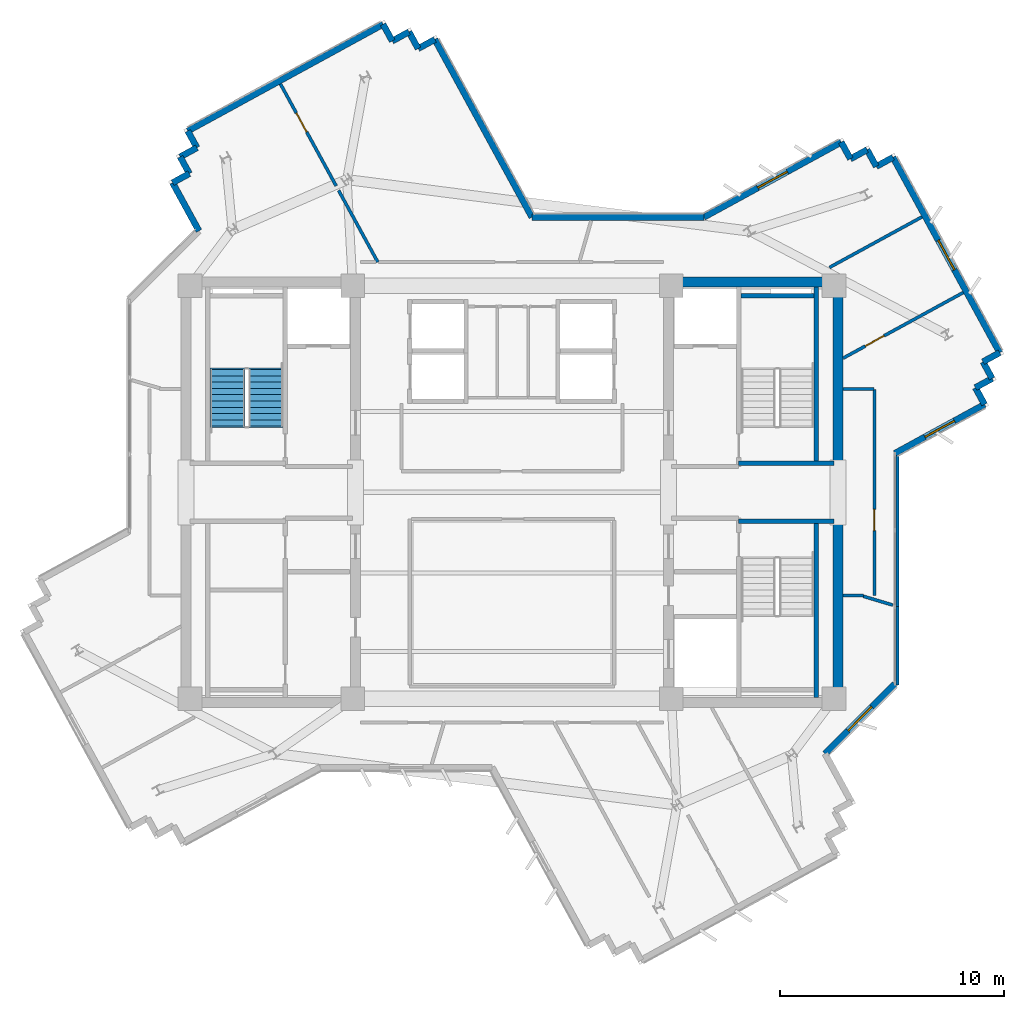
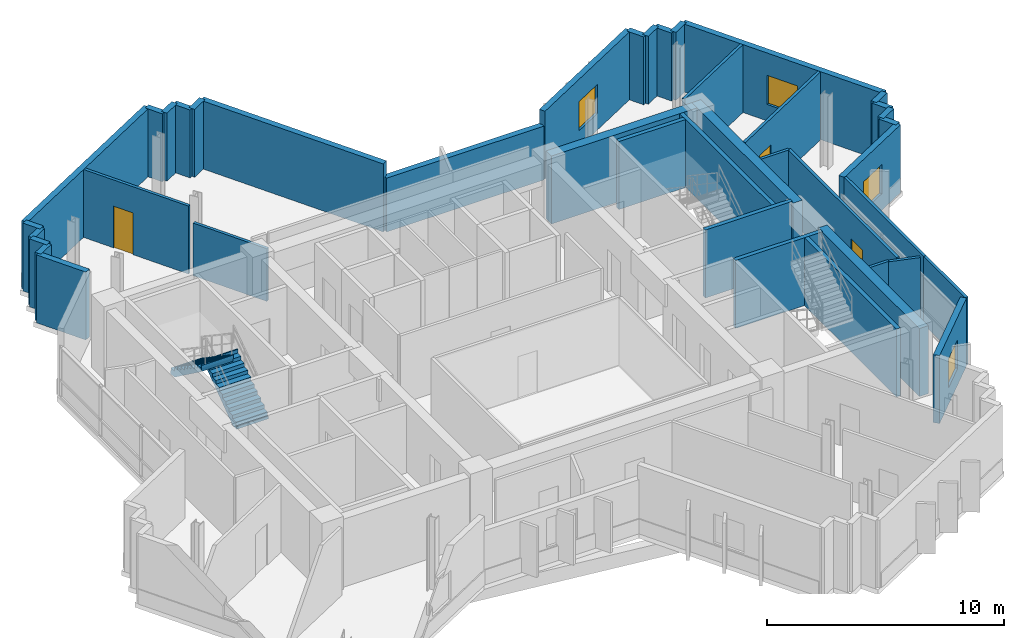
# One storey, part 8 of 13: 42 walls, 4 windows, 3 doors, 2 stair flights, 7 openings, 1 element without a shape of its own.
"""IFC4 building model written with IfcOpenShell, lengths in metres."""

from ifc_helpers import new_model, si_unit, direction, frame, frame_2d, origin, place, context, subcontext, project, spatial, polyline, rectangle, outline, extrude, source, transform, mapped, material, layer, layer_set, type_object, element, fill, aggregate, save


model = new_model("IFC4")

# Units and contexts
model_context = context("Model", 3, precision=1e-05, world=origin(), true_north=direction((0.0, 1.0)))
body_context = subcontext(model_context, "Body", "Model", "MODEL_VIEW")
ifc_project = project(units=[si_unit("LENGTHUNIT", "METRE"), si_unit("AREAUNIT", "SQUARE_METRE"), si_unit("VOLUMEUNIT", "CUBIC_METRE"), si_unit("PLANEANGLEUNIT", "RADIAN"), si_unit("MASSUNIT", "GRAM", prefix="KILO")], contexts=[model_context])

# Site, building, storey
site_placement = place(None, origin())
site = spatial("IfcSite", under=ifc_project, at=site_placement, CompositionType="ELEMENT")
building_placement = place(site_placement, origin())
building = spatial("IfcBuilding", under=site, at=building_placement, Name="Zahravan Cultural Tower", CompositionType="ELEMENT")
storey_placement = place(building_placement, frame((0.0, 0.0, 254.10009765625)))
storey = spatial("IfcBuildingStorey", under=building, at=storey_placement, Name="L60", CompositionType="ELEMENT", Elevation=254.10009765625)

# Wall, opening, window
ifc_material_1 = material(Name="Precast concrete C40/50", Category="concrete")
ifc_layer_1 = layer(ifc_material_1, 0.280029296875)
ifc_layer_set_1 = layer_set([ifc_layer_1], Name="Precast concrete C40/50")
wall_type_1 = type_object("IfcWallType", Name="EW-TC-280", PredefinedType="SOLIDWALL", material=ifc_layer_set_1)
wall_1_placement = place(storey_placement, frame((44.54931640625, 39.260009765625, 0.0), z_axis=(0.0, 0.0, 1.0), x_axis=(0.877569176667, 0.479450039279, 0.0)))
wall_1 = element("IfcWall", 1, at=wall_1_placement, inside=storey, type_object=wall_type_1, Name="L60 Exterior Masonry Frame Wall 01", PredefinedType="SOLIDWALL", context=body_context, shape_type="SweptSolid", body=[
    extrude(rectangle(XDim=6.979248046875, YDim=0.280029296875, at=frame_2d((3.48974609375, 0.0))), origin(), (0.0, 0.0, 1.0), 3.5),
])
opening_1_placement = place(wall_1_placement, frame((2.739990234375, 0.0, 0.85009765625)))
opening_1 = element("IfcOpeningElement", 2, at=opening_1_placement, cuts=wall_1, Name="Opening WN-03", PredefinedType="OPENING", context=body_context, shape_type="SweptSolid", body=[
    extrude(rectangle(XDim=1.5, YDim=1.5, at=frame_2d((0.75, 0.75))), frame((0.0, 0.14990234375, 0.0), z_axis=(0.0, -1.0, 0.0), x_axis=(1.0, 0.0, 0.0)), (0.0, 0.0, 1.0), 0.300048828125),
])
ifc_material_2 = material(Name="Low-E solar-control double glazing", Category="glass")
window_type = type_object("IfcWindowType", Name="WN-REC-1500X1500", PartitioningType="SINGLE_PANEL", PredefinedType="WINDOW", material=ifc_material_2)
shared_shape_1 = source(origin(), body_context, "Body", "SweptSolid", [
    extrude(rectangle(XDim=1.5, YDim=1.5, at=frame_2d((0.75, 0.75))), frame((0.0, 0.030029296875, 0.0), z_axis=(0.0, -1.0, 0.0), x_axis=(1.0, 0.0, 0.0)), (0.0, 0.0, 1.0), 0.06005859375),
])
window_1_placement = place(opening_1_placement, origin())
window_1 = element("IfcWindow", 3, at=window_1_placement, inside=storey, type_object=window_type, Name="L60 Recessed Solar Window 01", OverallHeight=1.5, OverallWidth=1.5, PartitioningType="SINGLE_PANEL", PredefinedType="WINDOW", context=body_context, shape_type="MappedRepresentation", body=[
    mapped(shared_shape_1, transform((0.0, 0.0, 0.0), x_axis=(1.0, 0.0, 0.0), y_axis=(0.0, 1.0, 0.0), z_axis=(0.0, 0.0, 1.0), scale=1.0)),
])
fill(opening_1, window_1)

wall_2_placement = place(storey_placement, frame((52.98095703125, 41.929443359375, 0.0), z_axis=(0.0, 0.0, 1.0), x_axis=(0.479472774144, -0.877556755347, 0.0)))
wall_2 = element("IfcWall", 4, at=wall_2_placement, inside=storey, type_object=wall_type_1, Name="L60 Exterior Masonry Frame Wall 06", PredefinedType="SOLIDWALL", context=body_context, shape_type="SweptSolid", body=[
    extrude(rectangle(XDim=9.919921875, YDim=0.280029296875, at=frame_2d((4.9599609375, 0.0))), origin(), (0.0, 0.0, 1.0), 3.5),
])
opening_2_placement = place(wall_2_placement, frame((4.2099609375, 0.0, 0.85009765625)))
opening_2 = element("IfcOpeningElement", 5, at=opening_2_placement, cuts=wall_2, Name="Opening WN-03", PredefinedType="OPENING", context=body_context, shape_type="SweptSolid", body=[
    extrude(rectangle(XDim=1.5, YDim=1.5, at=frame_2d((0.75, 0.75))), frame((0.0, 0.14990234375, 0.0), z_axis=(0.0, -1.0, 0.0), x_axis=(1.0, 0.0, 0.0)), (0.0, 0.0, 1.0), 0.300048828125),
])
window_2_placement = place(opening_2_placement, origin())
window_2 = element("IfcWindow", 6, at=window_2_placement, inside=storey, type_object=window_type, Name="L60 Recessed Solar Window 02", OverallHeight=1.5, OverallWidth=1.5, PartitioningType="SINGLE_PANEL", PredefinedType="WINDOW", context=body_context, shape_type="MappedRepresentation", body=[
    mapped(shared_shape_1, transform((0.0, 0.0, 0.0), x_axis=(1.0, 0.0, 0.0), y_axis=(0.0, 1.0, 0.0), z_axis=(0.0, 0.0, 1.0), scale=1.0)),
])
fill(opening_2, window_2)

wall_3_placement = place(storey_placement, frame((57.060302734375, 30.9169921875, 0.0), z_axis=(0.0, 0.0, 1.0), x_axis=(-0.877563774399, -0.479459927276, 0.0)))
wall_3 = element("IfcWall", 7, at=wall_3_placement, inside=storey, type_object=wall_type_1, Name="L60 Exterior Masonry Frame Wall 11", PredefinedType="SOLIDWALL", context=body_context, shape_type="SweptSolid", body=[
    extrude(rectangle(XDim=4.558349609375, YDim=0.280029296875, at=frame_2d((2.279296875, 0.0))), origin(), (0.0, 0.0, 1.0), 3.5),
])
opening_3_placement = place(wall_3_placement, frame((1.529052734375, 0.0, 0.85009765625)))
opening_3 = element("IfcOpeningElement", 8, at=opening_3_placement, cuts=wall_3, Name="Opening WN-03", PredefinedType="OPENING", context=body_context, shape_type="SweptSolid", body=[
    extrude(rectangle(XDim=1.5, YDim=1.5, at=frame_2d((0.75, 0.75))), frame((0.0, 0.14990234375, 0.0), z_axis=(0.0, -1.0, 0.0), x_axis=(1.0, 0.0, 0.0)), (0.0, 0.0, 1.0), 0.300048828125),
])
window_3_placement = place(opening_3_placement, origin())
window_3 = element("IfcWindow", 9, at=window_3_placement, inside=storey, type_object=window_type, Name="L60 Recessed Solar Window 03", OverallHeight=1.5, OverallWidth=1.5, PartitioningType="SINGLE_PANEL", PredefinedType="WINDOW", context=body_context, shape_type="MappedRepresentation", body=[
    mapped(shared_shape_1, transform((0.0, 0.0, 0.0), x_axis=(1.0, 0.0, 0.0), y_axis=(0.0, 1.0, 0.0), z_axis=(0.0, 0.0, 1.0), scale=1.0)),
])
fill(opening_3, window_3)

wall_4_placement = place(storey_placement, frame((53.06005859375, 18.4580078125, 0.0), z_axis=(0.0, 0.0, 1.0), x_axis=(-0.707106781187, -0.707106781187, 0.0)))
wall_4 = element("IfcWall", 10, at=wall_4_placement, inside=storey, type_object=wall_type_1, Name="L60 Exterior Masonry Frame Wall 12", PredefinedType="SOLIDWALL", context=body_context, shape_type="SweptSolid", body=[
    extrude(rectangle(XDim=4.3935546875, YDim=0.280029296875, at=frame_2d((2.19677734375, 0.0))), origin(), (0.0, 0.0, 1.0), 3.5),
])
opening_4_placement = place(wall_4_placement, frame((1.447021484375, 0.0, 0.85009765625)))
opening_4 = element("IfcOpeningElement", 11, at=opening_4_placement, cuts=wall_4, Name="Opening WN-03", PredefinedType="OPENING", context=body_context, shape_type="SweptSolid", body=[
    extrude(rectangle(XDim=1.5, YDim=1.5, at=frame_2d((0.75, 0.75))), frame((0.0, 0.14990234375, 0.0), z_axis=(0.0, -1.0, 0.0), x_axis=(1.0, 0.0, 0.0)), (0.0, 0.0, 1.0), 0.300048828125),
])
window_4_placement = place(opening_4_placement, origin())
window_4 = element("IfcWindow", 12, at=window_4_placement, inside=storey, type_object=window_type, Name="L60 Recessed Solar Window 04", OverallHeight=1.5, OverallWidth=1.5, PartitioningType="SINGLE_PANEL", PredefinedType="WINDOW", context=body_context, shape_type="MappedRepresentation", body=[
    mapped(shared_shape_1, transform((0.0, 0.0, 0.0), x_axis=(1.0, 0.0, 0.0), y_axis=(0.0, 1.0, 0.0), z_axis=(0.0, 0.0, 1.0), scale=1.0)),
])
fill(opening_4, window_4)

# Wall, opening, door
ifc_material_3 = material(Name="Gypsum plasterboard partition")
ifc_layer_2 = layer(ifc_material_3, 0.139892578125)
ifc_layer_set_2 = layer_set([ifc_layer_2], Name="Gypsum plasterboard partition")
wall_type_2 = type_object("IfcWallType", Name="W-PART-140", PredefinedType="PARTITIONING", material=ifc_layer_set_2)
wall_5_placement = place(storey_placement, frame((56.109375, 35.9013671875, 0.0), z_axis=(0.0, 0.0, 1.0), x_axis=(-0.877574248726, -0.479440755436, 0.0)))
wall_5 = element("IfcWall", 13, at=wall_5_placement, inside=storey, type_object=wall_type_2, Name="L60 Interior Wall 050", PredefinedType="PARTITIONING", context=body_context, shape_type="SweptSolid", body=[
    extrude(rectangle(XDim=6.1015625, YDim=0.139892578125, at=frame_2d((3.05078125, 0.0))), origin(), (0.0, 0.0, 1.0), 3.5),
])
opening_5_placement = place(wall_5_placement, frame((4.01806640625, 0.0, 0.0)))
opening_5 = element("IfcOpeningElement", 14, at=opening_5_placement, cuts=wall_5, Name="Opening D-L60-24", PredefinedType="OPENING", context=body_context, shape_type="SweptSolid", body=[
    extrude(rectangle(XDim=0.949951171875, YDim=2.14990234375, at=frame_2d((0.47509765625, 1.074951171875))), frame((0.0, 0.079833984375, 0.0), z_axis=(0.0, -1.0, 0.0), x_axis=(1.0, 0.0, 0.0)), (0.0, 0.0, 1.0), 0.159912109375),
])
ifc_material_4 = material(Name="Anodised bronze-aluminium mullion", Category="aluminium")
door_type = type_object("IfcDoorType", Name="DR-ROOM-950", OperationType="NOTDEFINED", PredefinedType="DOOR", material=ifc_material_4)
shared_shape_2 = source(origin(), body_context, "Body", "SweptSolid", [
    extrude(rectangle(XDim=0.949951171875, YDim=2.14990234375, at=frame_2d((0.47509765625, 1.074951171875))), frame((0.0, 0.02490234375, 0.0), z_axis=(0.0, -1.0, 0.0), x_axis=(1.0, 0.0, 0.0)), (0.0, 0.0, 1.0), 0.050048828125),
])
door_1_placement = place(opening_5_placement, origin())
door_1 = element("IfcDoor", 15, at=door_1_placement, inside=storey, type_object=door_type, Name="L60 Door D-L60-24", OperationType="SINGLE_SWING_RIGHT", OverallHeight=2.14990234375, OverallWidth=0.949951171875, PredefinedType="DOOR", context=body_context, shape_type="MappedRepresentation", body=[
    mapped(shared_shape_2, transform((0.0, 0.0, 0.0), x_axis=(1.0, 0.0, 0.0), y_axis=(0.0, 1.0, 0.0), z_axis=(0.0, 0.0, 1.0), scale=1.0)),
])
fill(opening_5, door_1)

wall_6_placement = place(storey_placement, frame((52.14990234375, 22.406005859375, 0.0), z_axis=(0.0, 0.0, 1.0), x_axis=(-2.657666e-05, 0.999999999647, 0.0)))
wall_6 = element("IfcWall", 16, at=wall_6_placement, inside=storey, type_object=wall_type_2, Name="L60 Interior Wall 066", PredefinedType="PARTITIONING", context=body_context, shape_type="SweptSolid", body=[
    extrude(rectangle(XDim=9.186279296875, YDim=0.139892578125, at=frame_2d((4.59326171875, 0.0))), origin(), (0.0, 0.0, 1.0), 3.5),
])
opening_6_placement = place(wall_6_placement, frame((2.8828125, 0.0, 0.0)))
opening_6 = element("IfcOpeningElement", 17, at=opening_6_placement, cuts=wall_6, Name="Opening D-L60-17", PredefinedType="OPENING", context=body_context, shape_type="SweptSolid", body=[
    extrude(rectangle(XDim=0.949951171875, YDim=2.14990234375, at=frame_2d((0.47509765625, 1.074951171875))), frame((0.0, 0.079833984375, 0.0), z_axis=(0.0, -1.0, 0.0), x_axis=(1.0, 0.0, 0.0)), (0.0, 0.0, 1.0), 0.159912109375),
])
door_2_placement = place(opening_6_placement, origin())
door_2 = element("IfcDoor", 18, at=door_2_placement, inside=storey, type_object=door_type, Name="L60 Door D-L60-17", OperationType="SINGLE_SWING_LEFT", OverallHeight=2.14990234375, OverallWidth=0.949951171875, PredefinedType="DOOR", context=body_context, shape_type="MappedRepresentation", body=[
    mapped(shared_shape_2, transform((0.0, 0.0, 0.0), x_axis=(1.0, 0.0, 0.0), y_axis=(0.0, 1.0, 0.0), z_axis=(0.0, 0.0, 1.0), scale=1.0)),
])
fill(opening_6, door_2)

wall_7_placement = place(storey_placement, frame((25.6826171875, 45.196044921875, 0.0), z_axis=(0.0, 0.0, 1.0), x_axis=(0.479427410708, -0.877581539153, 0.0)))
wall_7 = element("IfcWall", 19, at=wall_7_placement, inside=storey, type_object=wall_type_2, Name="L60 Interior Wall 077", PredefinedType="PARTITIONING", context=body_context, shape_type="SweptSolid", body=[
    extrude(rectangle(XDim=5.1728515625, YDim=0.139892578125, at=frame_2d((2.58642578125, 0.0))), origin(), (0.0, 0.0, 1.0), 3.5),
])
opening_7_placement = place(wall_7_placement, frame((1.47802734375, 0.0, 0.0)))
opening_7 = element("IfcOpeningElement", 20, at=opening_7_placement, cuts=wall_7, Name="Opening D-L60-25", PredefinedType="OPENING", context=body_context, shape_type="SweptSolid", body=[
    extrude(rectangle(XDim=0.949951171875, YDim=2.14990234375, at=frame_2d((0.47509765625, 1.074951171875))), frame((0.0, 0.079833984375, 0.0), z_axis=(0.0, -1.0, 0.0), x_axis=(1.0, 0.0, 0.0)), (0.0, 0.0, 1.0), 0.159912109375),
])
door_3_placement = place(opening_7_placement, origin())
door_3 = element("IfcDoor", 21, at=door_3_placement, inside=storey, type_object=door_type, Name="L60 Door D-L60-25", OperationType="SINGLE_SWING_LEFT", OverallHeight=2.14990234375, OverallWidth=0.949951171875, PredefinedType="DOOR", context=body_context, shape_type="MappedRepresentation", body=[
    mapped(shared_shape_2, transform((0.0, 0.0, 0.0), x_axis=(1.0, 0.0, 0.0), y_axis=(0.0, 1.0, 0.0), z_axis=(0.0, 0.0, 1.0), scale=1.0)),
])
fill(opening_7, door_3)

# Walls
ifc_material_5 = material(Name="Concrete C50/60", Category="concrete")
ifc_layer_3 = layer(ifc_material_5, 0.449951171875)
ifc_layer_set_3 = layer_set([ifc_layer_3], Name="Concrete C50/60")
wall_type_3 = type_object("IfcWallType", Name="CW-SHEAR-450-C50", PredefinedType="SHEAR", material=ifc_layer_set_3)
shared_shape_3 = source(origin(), body_context, "Body", "SweptSolid", [
    extrude(rectangle(XDim=8.550048828125, YDim=0.449951171875, at=frame_2d((4.27490234375, 0.0))), origin(), (0.0, 0.0, 1.0), 3.5),
])
for number, where, z_axis, x_axis, name in (
    (22, (50.52490234375, 17.39990234375, 0.0), (0.0, 0.0, 1.0), (0.0, 1.0, 0.0), "L60 Core Shear Wall CW-E-ES-L60"),
    (23, (50.52490234375, 28.050048828125, 0.0), (0.0, 0.0, 1.0), (0.0, 1.0, 0.0), "L60 Core Shear Wall CW-E-EN-L60"),
):
    element("IfcWall", number, at=place(storey_placement, frame(where, z_axis=z_axis, x_axis=x_axis)), inside=storey, type_object=wall_type_3, Name=name, PredefinedType="SHEAR", context=body_context, shape_type="MappedRepresentation", body=[
        mapped(shared_shape_3, transform((0.0, 0.0, 0.0), x_axis=(1.0, 0.0, 0.0), y_axis=(0.0, 1.0, 0.0), z_axis=(0.0, 0.0, 1.0), scale=1.0)),
    ])
shared_shape_4 = source(origin(), body_context, "Body", "SweptSolid", [
    extrude(rectangle(XDim=7.10009765625, YDim=0.449951171875, at=frame_2d((3.550048828125, 0.0))), origin(), (0.0, 0.0, 1.0), 3.5),
])
wall_8_placement = place(storey_placement, frame((43.199951171875, 36.375, 0.0), z_axis=(0.0, 0.0, 1.0), x_axis=(1.0, 0.0, 0.0)))
element("IfcWall", 24, at=wall_8_placement, inside=storey, type_object=wall_type_3, Name="L60 Core Shear Wall CW-E-N-L60", PredefinedType="SHEAR", context=body_context, shape_type="MappedRepresentation", body=[
    mapped(shared_shape_4, transform((0.0, 0.0, 0.0), x_axis=(1.0, 0.0, 0.0), y_axis=(0.0, 1.0, 0.0), z_axis=(0.0, 0.0, 1.0), scale=1.0)),
])
shared_shape_5 = source(origin(), body_context, "Body", "SweptSolid", [
    extrude(rectangle(XDim=0.85009765625, YDim=0.280029296875, at=frame_2d((0.425048828125, 0.0))), origin(), (0.0, 0.0, 1.0), 3.5),
])
for number, where, z_axis, x_axis, name in (
    (25, (51.827392578125, 42.267822265625, 0.0), (0.0, 0.0, 1.0), (0.479656876283, -0.877456141943, 0.0), "L60 Exterior Masonry Frame Wall 04"),
    (26, (56.65283203125, 31.6630859375, 0.0), (0.0, 0.0, 1.0), (0.479314855696, -0.877643019177, 0.0), "L60 Exterior Masonry Frame Wall 10"),
    (27, (21.619140625, 41.2041015625, 0.0), (0.0, 0.0, 1.0), (-0.479656876283, 0.877456141943, 0.0), "L60 Exterior Masonry Frame Wall 39"),
    (28, (21.21142578125, 41.949951171875, 0.0), (0.0, 0.0, 1.0), (0.877643019177, 0.479314855696, 0.0), "L60 Exterior Masonry Frame Wall 40"),
    (29, (31.40869140625, 47.521240234375, 0.0), (0.0, 0.0, 1.0), (0.479656876283, -0.877456141943, 0.0), "L60 Exterior Masonry Frame Wall 45"),
):
    element("IfcWall", number, at=place(storey_placement, frame(where, z_axis=z_axis, x_axis=x_axis)), inside=storey, type_object=wall_type_1, Name=name, PredefinedType="SOLIDWALL", context=body_context, shape_type="MappedRepresentation", body=[
        mapped(shared_shape_5, transform((0.0, 0.0, 0.0), x_axis=(1.0, 0.0, 0.0), y_axis=(0.0, 1.0, 0.0), z_axis=(0.0, 0.0, 1.0), scale=1.0)),
    ])
shared_shape_6 = source(origin(), body_context, "Body", "SweptSolid", [
    extrude(rectangle(XDim=0.849853515625, YDim=0.280029296875, at=frame_2d((0.4248046875, 0.0))), origin(), (0.0, 0.0, 1.0), 3.5),
])
for number, where, z_axis, x_axis, name in (
    (30, (50.674072265625, 42.606201171875, 0.0), (0.0, 0.0, 1.0), (0.479435691737, -0.877577015132, 0.0), "L60 Exterior Masonry Frame Wall 02"),
    (31, (51.08154296875, 41.8603515625, 0.0), (0.0, 0.0, 1.0), (0.877577015132, 0.479435691737, 0.0), "L60 Exterior Masonry Frame Wall 03"),
    (32, (52.235107421875, 41.52197265625, 0.0), (0.0, 0.0, 1.0), (0.877577015132, 0.479435691737, 0.0), "L60 Exterior Masonry Frame Wall 05"),
    (33, (56.9912109375, 32.81640625, 0.0), (0.0, 0.0, 1.0), (0.479435691737, -0.877577015132, 0.0), "L60 Exterior Masonry Frame Wall 08"),
    (34, (57.398681640625, 32.070556640625, 0.0), (0.0, 0.0, 1.0), (-0.877577015132, -0.479435691737, 0.0), "L60 Exterior Masonry Frame Wall 09"),
    (35, (30.25537109375, 47.859619140625, 0.0), (0.0, 0.0, 1.0), (0.479435691737, -0.877577015132, 0.0), "L60 Exterior Masonry Frame Wall 43"),
    (36, (30.662841796875, 47.11376953125, 0.0), (0.0, 0.0, 1.0), (0.877577015132, 0.479435691737, 0.0), "L60 Exterior Masonry Frame Wall 44"),
    (37, (31.81640625, 46.775390625, 0.0), (0.0, 0.0, 1.0), (0.877577015132, 0.479435691737, 0.0), "L60 Exterior Masonry Frame Wall 46"),
):
    element("IfcWall", number, at=place(storey_placement, frame(where, z_axis=z_axis, x_axis=x_axis)), inside=storey, type_object=wall_type_1, Name=name, PredefinedType="SOLIDWALL", context=body_context, shape_type="MappedRepresentation", body=[
        mapped(shared_shape_6, transform((0.0, 0.0, 0.0), x_axis=(1.0, 0.0, 0.0), y_axis=(0.0, 1.0, 0.0), z_axis=(0.0, 0.0, 1.0), scale=1.0)),
    ])
shared_shape_7 = source(origin(), body_context, "Body", "SweptSolid", [
    extrude(rectangle(XDim=9.920166015625, YDim=0.280029296875, at=frame_2d((4.9599609375, 0.0))), origin(), (0.0, 0.0, 1.0), 3.5),
])
wall_9_placement = place(storey_placement, frame((21.5498046875, 43.103515625, 0.0), z_axis=(0.0, 0.0, 1.0), x_axis=(0.877572768104, 0.479443465574, 0.0)))
element("IfcWall", 38, at=wall_9_placement, inside=storey, type_object=wall_type_1, Name="L60 Exterior Masonry Frame Wall 42", PredefinedType="SOLIDWALL", context=body_context, shape_type="MappedRepresentation", body=[
    mapped(shared_shape_7, transform((0.0, 0.0, 0.0), x_axis=(1.0, 0.0, 0.0), y_axis=(0.0, 1.0, 0.0), z_axis=(0.0, 0.0, 1.0), scale=1.0)),
])
shared_shape_8 = source(origin(), body_context, "Body", "SweptSolid", [
    extrude(rectangle(XDim=0.850341796875, YDim=0.280029296875, at=frame_2d((0.42529296875, 0.0))), origin(), (0.0, 0.0, 1.0), 3.5),
])
for number, where, z_axis, x_axis, name in (
    (39, (57.7373046875, 33.22412109375, 0.0), (0.0, 0.0, 1.0), (-0.87752219781, -0.479536017782, 0.0), "L60 Exterior Masonry Frame Wall 07"),
    (40, (20.873046875, 40.79638671875, 0.0), (0.0, 0.0, 1.0), (0.87752219781, 0.479536017782, 0.0), "L60 Exterior Masonry Frame Wall 38"),
    (41, (21.95751953125, 42.357421875, 0.0), (0.0, 0.0, 1.0), (-0.479536017782, 0.87752219781, 0.0), "L60 Exterior Masonry Frame Wall 41"),
):
    element("IfcWall", number, at=place(storey_placement, frame(where, z_axis=z_axis, x_axis=x_axis)), inside=storey, type_object=wall_type_1, Name=name, PredefinedType="SOLIDWALL", context=body_context, shape_type="MappedRepresentation", body=[
        mapped(shared_shape_8, transform((0.0, 0.0, 0.0), x_axis=(1.0, 0.0, 0.0), y_axis=(0.0, 1.0, 0.0), z_axis=(0.0, 0.0, 1.0), scale=1.0)),
    ])
shared_shape_9 = source(origin(), body_context, "Body", "SweptSolid", [
    extrude(rectangle(XDim=2.447509765625, YDim=0.280029296875, at=frame_2d((1.2236328125, 0.0))), origin(), (0.0, 0.0, 1.0), 3.5),
])
wall_10_placement = place(storey_placement, frame((22.046630859375, 38.648681640625, 0.0), z_axis=(0.0, 0.0, 1.0), x_axis=(-0.47951595933, 0.877533158774, 0.0)))
element("IfcWall", 42, at=wall_10_placement, inside=storey, type_object=wall_type_1, Name="L60 Exterior Masonry Frame Wall 37", PredefinedType="SOLIDWALL", context=body_context, shape_type="MappedRepresentation", body=[
    mapped(shared_shape_9, transform((0.0, 0.0, 0.0), x_axis=(1.0, 0.0, 0.0), y_axis=(0.0, 1.0, 0.0), z_axis=(0.0, 0.0, 1.0), scale=1.0)),
])
shared_shape_10 = source(origin(), body_context, "Body", "SweptSolid", [
    extrude(rectangle(XDim=9.0283203125, YDim=0.280029296875, at=frame_2d((4.51416015625, 0.0))), origin(), (0.0, 0.0, 1.0), 3.5),
])
wall_11_placement = place(storey_placement, frame((32.562255859375, 47.182861328125, 0.0), z_axis=(0.0, 0.0, 1.0), x_axis=(0.479475345647, -0.877555350344, 0.0)))
element("IfcWall", 43, at=wall_11_placement, inside=storey, type_object=wall_type_1, Name="L60 Exterior Masonry Frame Wall 47", PredefinedType="SOLIDWALL", context=body_context, shape_type="MappedRepresentation", body=[
    mapped(shared_shape_10, transform((0.0, 0.0, 0.0), x_axis=(1.0, 0.0, 0.0), y_axis=(0.0, 1.0, 0.0), z_axis=(0.0, 0.0, 1.0), scale=1.0)),
])
shared_shape_11 = source(origin(), body_context, "Body", "SweptSolid", [
    extrude(rectangle(XDim=7.658203125, YDim=0.280029296875, at=frame_2d((3.8291015625, 0.0))), origin(), (0.0, 0.0, 1.0), 2.77197265625),
])
wall_12_placement = place(storey_placement, frame((36.89111328125, 39.260009765625, 0.0), z_axis=(0.0, 0.0, 1.0), x_axis=(1.0, 0.0, 0.0)))
element("IfcWall", 44, at=wall_12_placement, inside=storey, type_object=wall_type_1, Name="L60 Exterior Masonry Frame Wall 48", PredefinedType="SOLIDWALL", context=body_context, shape_type="MappedRepresentation", body=[
    mapped(shared_shape_11, transform((0.0, 0.0, 0.0), x_axis=(1.0, 0.0, 0.0), y_axis=(0.0, 1.0, 0.0), z_axis=(0.0, 0.0, 1.0), scale=1.0)),
])
ifc_material_6 = material(Name="Concrete C45/55", Category="concrete")
ifc_layer_4 = layer(ifc_material_6, 0.199951171875)
ifc_layer_set_4 = layer_set([ifc_layer_4], Name="Concrete C45/55")
wall_type_4 = type_object("IfcWallType", Name="W-SHAFT-200", PredefinedType="SOLIDWALL", material=ifc_layer_set_4)
shared_shape_12 = source(origin(), body_context, "Body", "SweptSolid", [
    extrude(rectangle(XDim=7.869873046875, YDim=0.199951171875, at=frame_2d((3.93505859375, 0.0))), origin(), (0.0, 0.0, 1.0), 3.5),
])
for number, where, z_axis, x_axis, name in (
    (45, (49.550048828125, 17.85009765625, 0.0), (0.0, 0.0, 1.0), (0.0, 1.0, 0.0), "L60 Interior Wall 003"),
    (46, (49.550048828125, 28.280029296875, 0.0), (0.0, 0.0, 1.0), (0.0, 1.0, 0.0), "L60 Interior Wall 004"),
):
    element("IfcWall", number, at=place(storey_placement, frame(where, z_axis=z_axis, x_axis=x_axis)), inside=storey, type_object=wall_type_4, Name=name, PredefinedType="SOLIDWALL", context=body_context, shape_type="MappedRepresentation", body=[
        mapped(shared_shape_12, transform((0.0, 0.0, 0.0), x_axis=(1.0, 0.0, 0.0), y_axis=(0.0, 1.0, 0.0), z_axis=(0.0, 0.0, 1.0), scale=1.0)),
    ])
shared_shape_13 = source(origin(), body_context, "Body", "SweptSolid", [
    extrude(rectangle(XDim=4.25, YDim=0.199951171875, at=frame_2d((2.125, 0.0))), origin(), (0.0, 0.0, 1.0), 3.5),
])
for number, where, z_axis, x_axis, name in (
    (47, (46.10009765625, 25.715087890625, 0.0), (0.0, 0.0, 1.0), (1.0, 0.0, 0.0), "L60 Interior Wall 014"),
    (48, (46.10009765625, 28.284912109375, 0.0), (0.0, 0.0, 1.0), (1.0, 0.0, 0.0), "L60 Interior Wall 016"),
):
    element("IfcWall", number, at=place(storey_placement, frame(where, z_axis=z_axis, x_axis=x_axis)), inside=storey, type_object=wall_type_4, Name=name, PredefinedType="SOLIDWALL", context=body_context, shape_type="MappedRepresentation", body=[
        mapped(shared_shape_13, transform((0.0, 0.0, 0.0), x_axis=(1.0, 0.0, 0.0), y_axis=(0.0, 1.0, 0.0), z_axis=(0.0, 0.0, 1.0), scale=1.0)),
    ])
shared_shape_14 = source(origin(), body_context, "Body", "SweptSolid", [
    extrude(rectangle(XDim=3.25, YDim=0.199951171875, at=frame_2d((1.625, 0.0))), origin(), (0.0, 0.0, 1.0), 3.5),
])
wall_13_placement = place(storey_placement, frame((46.199951171875, 35.75, 0.0), z_axis=(0.0, 0.0, 1.0), x_axis=(1.0, 0.0, 0.0)))
element("IfcWall", 49, at=wall_13_placement, inside=storey, type_object=wall_type_4, Name="L60 Interior Wall 018", PredefinedType="SOLIDWALL", context=body_context, shape_type="MappedRepresentation", body=[
    mapped(shared_shape_14, transform((0.0, 0.0, 0.0), x_axis=(1.0, 0.0, 0.0), y_axis=(0.0, 1.0, 0.0), z_axis=(0.0, 0.0, 1.0), scale=1.0)),
])
shared_shape_15 = source(origin(), body_context, "Body", "SweptSolid", [
    extrude(rectangle(XDim=4.6953125, YDim=0.139892578125, at=frame_2d((2.34765625, 0.0))), origin(), (0.0, 0.0, 1.0), 3.5),
])
wall_14_placement = place(storey_placement, frame((50.147705078125, 37.02001953125, 0.0), z_axis=(0.0, 0.0, 1.0), x_axis=(0.877559526902, 0.479467701461, 0.0)))
element("IfcWall", 50, at=wall_14_placement, inside=storey, type_object=wall_type_2, Name="L60 Interior Wall 049", PredefinedType="PARTITIONING", context=body_context, shape_type="MappedRepresentation", body=[
    mapped(shared_shape_15, transform((0.0, 0.0, 0.0), x_axis=(1.0, 0.0, 0.0), y_axis=(0.0, 1.0, 0.0), z_axis=(0.0, 0.0, 1.0), scale=1.0)),
])
shared_shape_16 = source(origin(), body_context, "Body", "SweptSolid", [
    extrude(rectangle(XDim=1.38916015625, YDim=0.139892578125, at=frame_2d((0.694580078125, 0.0))), origin(), (0.0, 0.0, 1.0), 3.5),
])
wall_15_placement = place(storey_placement, frame((52.14404296875, 31.60009765625, 0.0), z_axis=(0.0, 0.0, 1.0), x_axis=(-1.0, 0.0, 0.0)))
element("IfcWall", 51, at=wall_15_placement, inside=storey, type_object=wall_type_2, Name="L60 Interior Wall 067", PredefinedType="PARTITIONING", context=body_context, shape_type="MappedRepresentation", body=[
    mapped(shared_shape_16, transform((0.0, 0.0, 0.0), x_axis=(1.0, 0.0, 0.0), y_axis=(0.0, 1.0, 0.0), z_axis=(0.0, 0.0, 1.0), scale=1.0)),
])
shared_shape_17 = source(origin(), body_context, "Body", "SweptSolid", [
    extrude(rectangle(XDim=6.7216796875, YDim=0.139892578125, at=frame_2d((3.36083984375, 0.0))), origin(), (0.0, 0.0, 1.0), 3.5),
])
wall_16_placement = place(storey_placement, frame((53.18359375, 28.6337890625, 0.0), z_axis=(0.0, 0.0, 1.0), x_axis=(-0.000544820492, -0.999999851585, 0.0)))
element("IfcWall", 52, at=wall_16_placement, inside=storey, type_object=wall_type_2, Name="L60 Interior Wall 068", PredefinedType="PARTITIONING", context=body_context, shape_type="MappedRepresentation", body=[
    mapped(shared_shape_17, transform((0.0, 0.0, 0.0), x_axis=(1.0, 0.0, 0.0), y_axis=(0.0, 1.0, 0.0), z_axis=(0.0, 0.0, 1.0), scale=1.0)),
])
shared_shape_18 = source(origin(), body_context, "Body", "SweptSolid", [
    extrude(rectangle(XDim=1.372802734375, YDim=0.139892578125, at=frame_2d((0.6865234375, 0.0))), origin(), (0.0, 0.0, 1.0), 3.5),
])
wall_17_placement = place(storey_placement, frame((52.972412109375, 21.97412109375, 0.0), z_axis=(0.0, 0.0, 1.0), x_axis=(-0.958236472503, 0.285977031883, 0.0)))
element("IfcWall", 53, at=wall_17_placement, inside=storey, type_object=wall_type_2, Name="L60 Interior Wall 069", PredefinedType="PARTITIONING", context=body_context, shape_type="MappedRepresentation", body=[
    mapped(shared_shape_18, transform((0.0, 0.0, 0.0), x_axis=(1.0, 0.0, 0.0), y_axis=(0.0, 1.0, 0.0), z_axis=(0.0, 0.0, 1.0), scale=1.0)),
])
shared_shape_19 = source(origin(), body_context, "Body", "SweptSolid", [
    extrude(rectangle(XDim=0.912109375, YDim=0.139892578125, at=frame_2d((0.4560546875, 0.0))), origin(), (0.0, 0.0, 1.0), 3.5),
])
wall_18_placement = place(storey_placement, frame((50.7548828125, 22.39990234375, 0.0), z_axis=(0.0, 0.0, 1.0), x_axis=(1.0, 0.0, 0.0)))
element("IfcWall", 54, at=wall_18_placement, inside=storey, type_object=wall_type_2, Name="L60 Interior Wall 070", PredefinedType="PARTITIONING", context=body_context, shape_type="MappedRepresentation", body=[
    mapped(shared_shape_19, transform((0.0, 0.0, 0.0), x_axis=(1.0, 0.0, 0.0), y_axis=(0.0, 1.0, 0.0), z_axis=(0.0, 0.0, 1.0), scale=1.0)),
])
shared_shape_20 = source(origin(), body_context, "Body", "SweptSolid", [
    extrude(rectangle(XDim=3.50390625, YDim=0.139892578125, at=frame_2d((1.751953125, 0.0))), origin(), (0.0, 0.0, 1.0), 3.5),
])
wall_19_placement = place(storey_placement, frame((53.179931640625, 21.912109375, 0.0), z_axis=(0.0, 0.0, 1.0), x_axis=(0.0, -1.0, 0.0)))
element("IfcWall", 55, at=wall_19_placement, inside=storey, type_object=wall_type_2, Name="L60 Interior Wall 071", PredefinedType="PARTITIONING", context=body_context, shape_type="MappedRepresentation", body=[
    mapped(shared_shape_20, transform((0.0, 0.0, 0.0), x_axis=(1.0, 0.0, 0.0), y_axis=(0.0, 1.0, 0.0), z_axis=(0.0, 0.0, 1.0), scale=1.0)),
])
shared_shape_21 = source(origin(), body_context, "Body", "SweptSolid", [
    extrude(rectangle(XDim=3.6435546875, YDim=0.139892578125, at=frame_2d((1.82177734375, 0.0))), origin(), (0.0, 0.0, 1.0), 2.712890625),
])
wall_20_placement = place(storey_placement, frame((28.271484375, 40.457275390625, 0.0), z_axis=(0.0, 0.0, 1.0), x_axis=(0.479509272429, -0.877536812706, 0.0)))
element("IfcWall", 56, at=wall_20_placement, inside=storey, type_object=wall_type_2, Name="L60 Interior Wall 078", PredefinedType="PARTITIONING", context=body_context, shape_type="MappedRepresentation", body=[
    mapped(shared_shape_21, transform((0.0, 0.0, 0.0), x_axis=(1.0, 0.0, 0.0), y_axis=(0.0, 1.0, 0.0), z_axis=(0.0, 0.0, 1.0), scale=1.0)),
])

# Stair, stair flights
stair_type = type_object("IfcStairType", Name="STR-DL-1550-375", PredefinedType="HALF_TURN_STAIR", material=ifc_material_6)
stair_placement = place(storey_placement, origin())
stair = element("IfcStair", 57, at=stair_placement, inside=storey, type_object=stair_type, Name="L60 West Core North Exit Stair ST-W1", PredefinedType="HALF_TURN_STAIR")
stair_flight_type = type_object("IfcStairFlightType", Name="FLG-DL-1550-375", PredefinedType="STRAIGHT", material=ifc_material_6)
stair_flight_1_placement = place(storey_placement, frame((25.02490234375, 29.949951171875, 0.0), z_axis=(0.0, 0.0, 1.0), x_axis=(0.0, 1.0, 0.0)))
stair_flight_1 = element("IfcStairFlight", 58, at=stair_flight_1_placement, type_object=stair_flight_type, Name="ST-W1 flight 1", NumberOfRisers=10, NumberOfTreads=9, PredefinedType="STRAIGHT", RiserHeight=0.1875, TreadLength=0.28, context=body_context, shape_type="SweptSolid", body=[
    extrude(outline(polyline([(-0.06494140625, -0.139892578125), (-0.06494140625, 0.0), (0.0, 0.0), (0.0, 0.1875), (0.280029296875, 0.1875), (0.280029296875, 0.375), (0.56005859375, 0.375), (0.56005859375, 0.5625), (0.840087890625, 0.5625), (0.840087890625, 0.75), (1.1201171875, 0.75), (1.1201171875, 0.9375), (1.39990234375, 0.9375), (1.39990234375, 1.125), (1.679931640625, 1.125), (1.679931640625, 1.3125), (1.9599609375, 1.3125), (1.9599609375, 1.5), (2.239990234375, 1.5), (2.239990234375, 1.6875), (2.52001953125, 1.6875), (2.52001953125, 1.875), (2.5849609375, 1.875), (2.5849609375, 1.72509765625), (2.52001953125, 1.507080078125), (0.26953125, -0.139892578125), (-0.06494140625, -0.139892578125)])), frame((0.0, 0.77490234375, 0.0), z_axis=(0.0, -1.0, 0.0), x_axis=(1.0, 0.0, 0.0)), (0.0, 0.0, 1.0), 1.550048828125),
])
stair_flight_2_placement = place(storey_placement, frame((23.324951171875, 32.469970703125, 1.875), z_axis=(0.0, 0.0, 1.0), x_axis=(0.0, -1.0, 0.0)))
stair_flight_2 = element("IfcStairFlight", 59, at=stair_flight_2_placement, type_object=stair_flight_type, Name="ST-W1 flight 2", NumberOfRisers=10, NumberOfTreads=9, PredefinedType="STRAIGHT", RiserHeight=0.1875, TreadLength=0.28, context=body_context, shape_type="SweptSolid", body=[
    extrude(outline(polyline([(-0.06494140625, -0.139892578125), (-0.06494140625, 0.0), (0.0, 0.0), (0.0, 0.1875), (0.280029296875, 0.1875), (0.280029296875, 0.375), (0.56005859375, 0.375), (0.56005859375, 0.5625), (0.840087890625, 0.5625), (0.840087890625, 0.75), (1.1201171875, 0.75), (1.1201171875, 0.9375), (1.39990234375, 0.9375), (1.39990234375, 1.125), (1.679931640625, 1.125), (1.679931640625, 1.3125), (1.9599609375, 1.3125), (1.9599609375, 1.5), (2.239990234375, 1.5), (2.239990234375, 1.6875), (2.52001953125, 1.6875), (2.52001953125, 1.875), (2.5849609375, 1.875), (2.5849609375, 1.72509765625), (2.52001953125, 1.507080078125), (0.26953125, -0.139892578125), (-0.06494140625, -0.139892578125)])), frame((0.0, 0.77490234375, 0.0), z_axis=(0.0, -1.0, 0.0), x_axis=(1.0, 0.0, 0.0)), (0.0, 0.0, 1.0), 1.550048828125),
])
aggregate(stair, [stair_flight_1, stair_flight_2])

save(model, "model.ifc")
